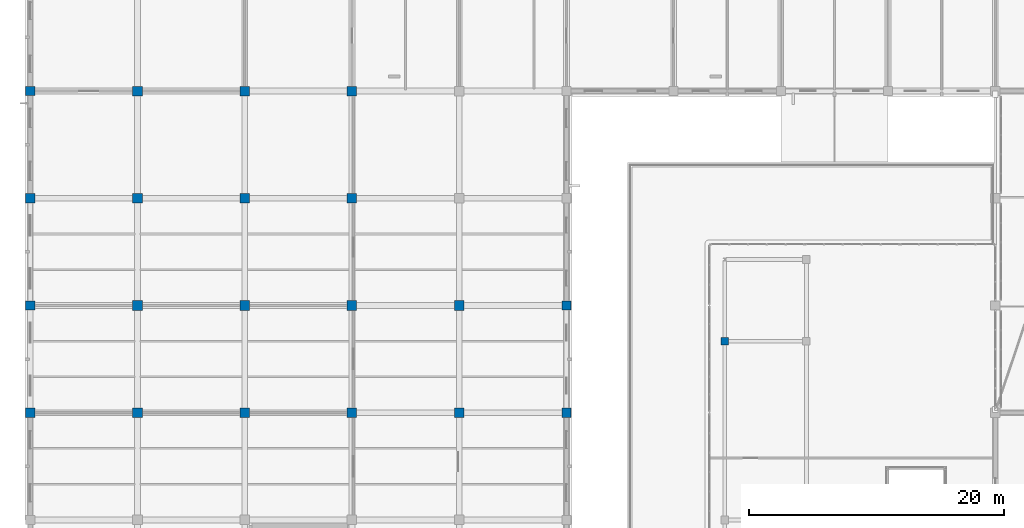
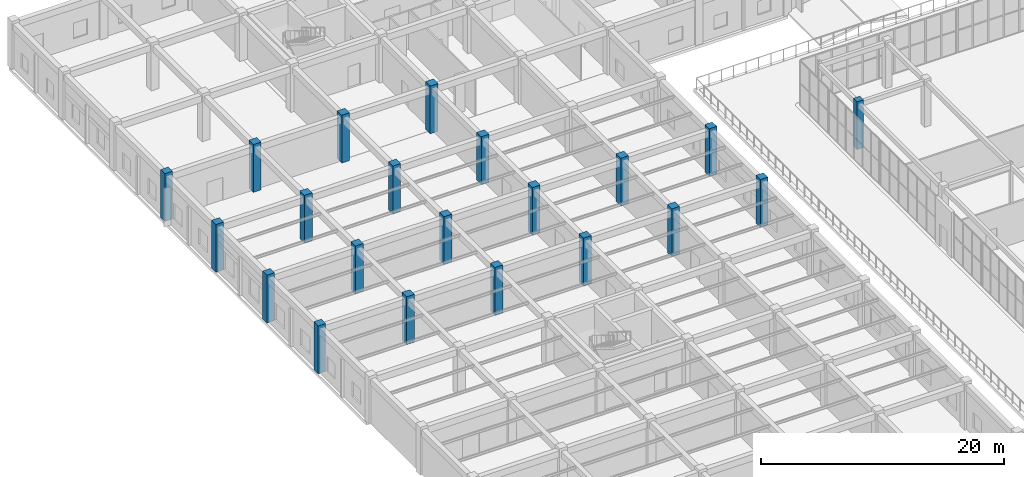
# One storey, part 7 of 158: 21 columns.
"""IFC4 building model written with IfcOpenShell, lengths in metres."""

from ifc_helpers import new_model, si_unit, direction, frame, origin, origin_2d, place, context, subcontext, project, spatial, rectangle, extrude, material, material_profile, profile_set, type_object, element, save


model = new_model("IFC4")

# Units and contexts
model_context = context("Model", 3, precision=1e-05, world=origin(), true_north=direction((0.0, 1.0)))
body_context = subcontext(model_context, "Body", "Model", "MODEL_VIEW")
ifc_project = project(units=[si_unit("LENGTHUNIT", "METRE"), si_unit("AREAUNIT", "SQUARE_METRE"), si_unit("VOLUMEUNIT", "CUBIC_METRE"), si_unit("PLANEANGLEUNIT", "RADIAN"), si_unit("MASSUNIT", "GRAM", prefix="KILO")], contexts=[model_context])

# Site, building, storey
site_placement = place(None, origin())
site = spatial("IfcSite", under=ifc_project, at=site_placement, CompositionType="ELEMENT")
building_placement = place(site_placement, origin())
building = spatial("IfcBuilding", under=site, at=building_placement, Name="Trelvath General Hospital", CompositionType="ELEMENT")
storey_placement = place(building_placement, frame((0.0, 0.0, 8.10009765625)))
storey = spatial("IfcBuildingStorey", under=building, at=storey_placement, Name="L02", CompositionType="ELEMENT", Elevation=8.10009765625)

# Columns
ifc_material_1 = material(Name="Concrete C40/50", Category="concrete")
ifc_material_profile_1 = material_profile(ifc_material_1, rectangle(XDim=0.60009765625, YDim=0.60009765625, at=origin_2d()), Name="RC600x600")
ifc_profile_set_1 = profile_set([ifc_material_profile_1], Name="Concrete C40/50")
column_type_1 = type_object("IfcColumnType", Name="Column RC600", PredefinedType="COLUMN", material=ifc_profile_set_1)
column_placement = place(storey_placement, frame((54.39990234375, 72.800048828125, 0.0), z_axis=(0.0, 0.0, 1.0), x_axis=(1.0, 0.0, 0.0)))
element("IfcColumn", 1, at=column_placement, inside=storey, type_object=column_type_1, Name="Cube Interior Column CC-W14 L02", PredefinedType="COLUMN", context=body_context, shape_type="SweptSolid", body=[
    extrude(rectangle(XDim=0.60009765625, YDim=0.60009765625, at=origin_2d()), origin(), (0.0, 0.0, 1.0), 4.7998046875),
])
ifc_material_2 = material(Name="Concrete C40/50", Category="concrete")
ifc_material_profile_2 = material_profile(ifc_material_2, rectangle(XDim=0.719970703125, YDim=0.719970703125, at=origin_2d()), Name="RC720x720")
ifc_profile_set_2 = profile_set([ifc_material_profile_2], Name="Concrete C40/50")
column_type_2 = type_object("IfcColumnType", Name="Column RC720", PredefinedType="COLUMN", material=ifc_profile_set_2)
for number, where, z_axis, x_axis, name in (
    (2, (0.0, 67.199951171875, 0.0), (0.0, 0.0, 1.0), (1.0, 0.0, 0.0), "Column C-1I L02"),
    (3, (0.0, 75.60009765625, 0.0), (0.0, 0.0, 1.0), (1.0, 0.0, 0.0), "Column C-1J L02"),
    (4, (0.0, 84.0, 0.0), (0.0, 0.0, 1.0), (1.0, 0.0, 0.0), "Column C-1K L02"),
    (5, (0.0, 92.39990234375, 0.0), (0.0, 0.0, 1.0), (1.0, 0.0, 0.0), "Column C-1L L02"),
    (6, (42.0, 67.199951171875, 0.0), (0.0, 0.0, 1.0), (1.0, 0.0, 0.0), "Column C-6I L02"),
    (7, (42.0, 75.60009765625, 0.0), (0.0, 0.0, 1.0), (1.0, 0.0, 0.0), "Column C-6J L02"),
):
    element("IfcColumn", number, at=place(storey_placement, frame(where, z_axis=z_axis, x_axis=x_axis)), inside=storey, type_object=column_type_2, Name=name, PredefinedType="COLUMN", context=body_context, shape_type="SweptSolid", body=[
        extrude(rectangle(XDim=0.719970703125, YDim=0.719970703125, at=origin_2d()), origin(), (0.0, 0.0, 1.0), 4.7998046875),
    ])
ifc_material_3 = material(Name="Concrete C40/50", Category="concrete")
ifc_material_profile_3 = material_profile(ifc_material_3, rectangle(XDim=0.75, YDim=0.75, at=origin_2d()), Name="RC750x750")
ifc_profile_set_3 = profile_set([ifc_material_profile_3], Name="Concrete C40/50")
column_type_3 = type_object("IfcColumnType", Name="Column RC750", PredefinedType="COLUMN", material=ifc_profile_set_3)
for number, where, z_axis, x_axis, name in (
    (8, (8.39990234375, 67.199951171875, 0.0), (0.0, 0.0, 1.0), (1.0, 0.0, 0.0), "Column C-2I L02"),
    (9, (8.39990234375, 75.60009765625, 0.0), (0.0, 0.0, 1.0), (1.0, 0.0, 0.0), "Column C-2J L02"),
    (10, (8.39990234375, 84.0, 0.0), (0.0, 0.0, 1.0), (1.0, 0.0, 0.0), "Column C-2K L02"),
    (11, (8.39990234375, 92.39990234375, 0.0), (0.0, 0.0, 1.0), (1.0, 0.0, 0.0), "Column C-2L L02"),
    (12, (16.800048828125, 67.199951171875, 0.0), (0.0, 0.0, 1.0), (1.0, 0.0, 0.0), "Column C-3I L02"),
    (13, (16.800048828125, 75.60009765625, 0.0), (0.0, 0.0, 1.0), (1.0, 0.0, 0.0), "Column C-3J L02"),
    (14, (16.800048828125, 84.0, 0.0), (0.0, 0.0, 1.0), (1.0, 0.0, 0.0), "Column C-3K L02"),
    (15, (16.800048828125, 92.39990234375, 0.0), (0.0, 0.0, 1.0), (1.0, 0.0, 0.0), "Column C-3L L02"),
    (16, (25.199951171875, 67.199951171875, 0.0), (0.0, 0.0, 1.0), (1.0, 0.0, 0.0), "Column C-4I L02"),
    (17, (25.199951171875, 75.60009765625, 0.0), (0.0, 0.0, 1.0), (1.0, 0.0, 0.0), "Column C-4J L02"),
    (18, (25.199951171875, 84.0, 0.0), (0.0, 0.0, 1.0), (1.0, 0.0, 0.0), "Column C-4K L02"),
    (19, (25.199951171875, 92.39990234375, 0.0), (0.0, 0.0, 1.0), (1.0, 0.0, 0.0), "Column C-4L L02"),
    (20, (33.60009765625, 67.199951171875, 0.0), (0.0, 0.0, 1.0), (1.0, 0.0, 0.0), "Column C-5I L02"),
    (21, (33.60009765625, 75.60009765625, 0.0), (0.0, 0.0, 1.0), (1.0, 0.0, 0.0), "Column C-5J L02"),
):
    element("IfcColumn", number, at=place(storey_placement, frame(where, z_axis=z_axis, x_axis=x_axis)), inside=storey, type_object=column_type_3, Name=name, PredefinedType="COLUMN", context=body_context, shape_type="SweptSolid", body=[
        extrude(rectangle(XDim=0.75, YDim=0.75, at=origin_2d()), origin(), (0.0, 0.0, 1.0), 4.7998046875),
    ])

save(model, "model.ifc")
